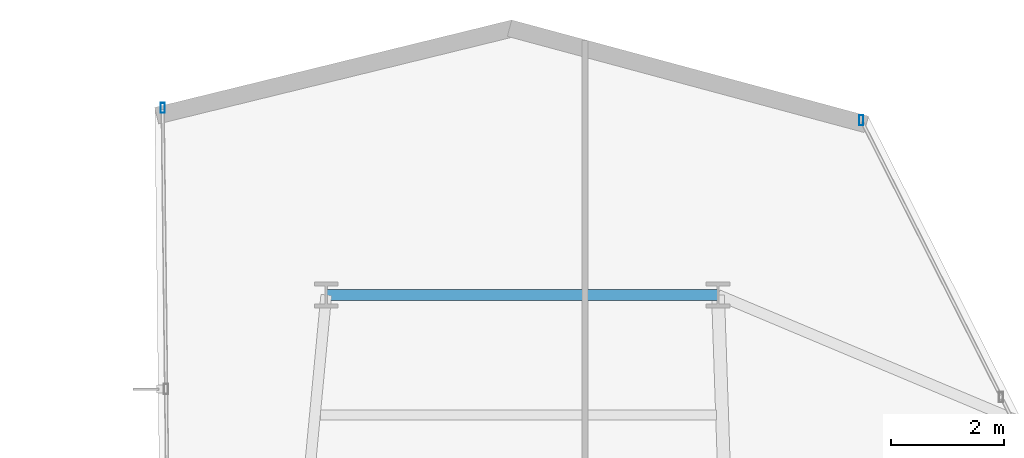
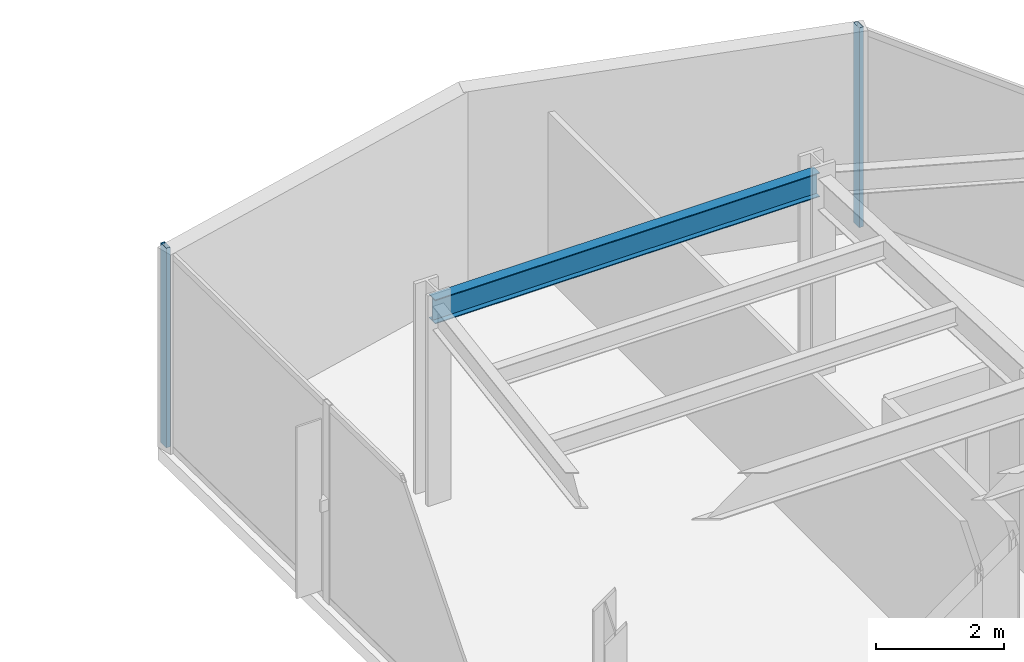
# One storey, part 19 of 25: 2 members, 1 beam, 2 elements without a shape of their own.
"""IFC4 building model written with IfcOpenShell, lengths in metres."""

import ifcopenshell
import ifcopenshell.guid

model = None  # the IFC model being written
_history = None  # IfcOwnerHistory: only IFC2X3 demands one
_inside = {}  # id of a spatial element -> (the spatial element, [elements in it])
_under = {}  # id of a project, library or spatial element -> (it, [spatial elements below it])
_declared = {}  # id of a project -> (the project, [libraries it declares])
_typed = {}  # id of a type object -> (the type object, [elements of that type])
_made_of = {}  # id of a material, layer set ... -> (it, [elements and type objects made of it])


def new_model(schema):
    """Start an empty IFC model of exactly this schema.

    Asked for "IFC4X3", IfcOpenShell would pick the latest addendum, in which some entities
    have other attributes; the version numbers below select the first issue.
    IFC2X3 requires an IfcOwnerHistory on every rooted entity: one is made here for all.
    """
    global model, _history
    if schema == "IFC4X3":
        model = ifcopenshell.file(schema_version=(4, 3, 0, 0))
    else:
        model = ifcopenshell.file(schema=schema)
    _inside.clear()
    _under.clear()
    _declared.clear()
    _typed.clear()
    _made_of.clear()
    _history = None
    if model.schema == "IFC2X3":
        org = make("IfcOrganization", Name="unknown")
        user = make(
            "IfcPersonAndOrganization",
            ThePerson=make("IfcPerson", FamilyName="unknown"),
            TheOrganization=org,
        )
        app = make(
            "IfcApplication",
            ApplicationDeveloper=org,
            Version="unknown",
            ApplicationFullName="unknown",
            ApplicationIdentifier="unknown",
        )
        _history = make(
            "IfcOwnerHistory",
            OwningUser=user,
            OwningApplication=app,
            ChangeAction="ADDED",
            CreationDate=0,
        )
    return model


def make(cls, **values):
    """One entity of the class cls with the attributes given. An attribute that is None is left unset."""
    return model.create_entity(
        cls, **{name: value for name, value in values.items() if value is not None}
    )


def rooted(cls, **values):
    """An entity with a GlobalId (a new one), such as an element, a storey or a relation."""
    return make(cls, GlobalId=ifcopenshell.guid.new(), OwnerHistory=_history, **values)


def si_unit(unit_type, name, prefix=None):
    """IfcSIUnit, for example si_unit("LENGTHUNIT", "METRE", prefix="MILLI")."""
    return make("IfcSIUnit", UnitType=unit_type, Prefix=prefix, Name=name)


def assignment(units):
    """IfcUnitAssignment: the units of a project."""
    return None if units is None else make("IfcUnitAssignment", Units=units)


def point(xyz):
    """IfcCartesianPoint."""
    return None if xyz is None else make("IfcCartesianPoint", Coordinates=xyz)


def direction(xyz):
    """IfcDirection."""
    return None if xyz is None else make("IfcDirection", DirectionRatios=xyz)


def frame(location, z_axis=None, x_axis=None):
    """IfcAxis2Placement3D, a coordinate frame: its origin and axes. An axis left out is left unset."""
    return make(
        "IfcAxis2Placement3D",
        Location=point(location),
        Axis=direction(z_axis),
        RefDirection=direction(x_axis),
    )


def frame_2d(location, x_axis=None):
    """IfcAxis2Placement2D, a coordinate frame in the plane: its origin and x axis."""
    return make(
        "IfcAxis2Placement2D", Location=point(location), RefDirection=direction(x_axis)
    )


def origin():
    """The frame at (0, 0, 0) with its axes left unset."""
    return frame((0.0, 0.0, 0.0))


def origin_2d():
    """The frame at (0, 0) in the plane with its x axis left unset."""
    return frame_2d((0.0, 0.0))


def place(relative_to, where):
    """IfcLocalPlacement: puts the frame where relative to a parent placement (None: the world)."""
    return make(
        "IfcLocalPlacement", PlacementRelTo=relative_to, RelativePlacement=where
    )


def context(
    kind, dimensions, precision=None, world=None, true_north=None, identifier=None
):
    """IfcGeometricRepresentationContext, for example the 3D "Model" context."""
    return make(
        "IfcGeometricRepresentationContext",
        ContextIdentifier=identifier,
        ContextType=kind,
        CoordinateSpaceDimension=dimensions,
        Precision=precision,
        WorldCoordinateSystem=world,
        TrueNorth=true_north,
    )


def subcontext(parent, identifier, kind, view, scale=None):
    """IfcGeometricRepresentationSubContext, for example "Body" below "Model"."""
    return make(
        "IfcGeometricRepresentationSubContext",
        ContextIdentifier=identifier,
        ContextType=kind,
        ParentContext=parent,
        TargetScale=scale,
        TargetView=view,
    )


def project(units=None, contexts=None):
    """IfcProject with its units and contexts."""
    return rooted(
        "IfcProject",
        Name="project",
        RepresentationContexts=contexts,
        UnitsInContext=assignment(units),
    )


def spatial(cls, under=None, at=None, **own):
    """A site, building, storey or space (cls), placed at a placement, below another one or the project."""
    s = rooted(cls, ObjectPlacement=at, **own)
    if under is not None:
        _under.setdefault(under.id(), (under, []))[1].append(s)
    return s


def profile(cls, at=None, kind="AREA", **sizes):
    """A parametric profile (cls). Its sizes go by their IFC names, for example OverallWidth=200.0."""
    return make(cls, ProfileType=kind, Position=at, **sizes)


def hollow_rectangle(**sizes):
    """IfcRectangleHollowProfileDef."""
    return profile("IfcRectangleHollowProfileDef", **sizes)


def i_section(**sizes):
    """IfcIShapeProfileDef."""
    return profile("IfcIShapeProfileDef", **sizes)


def extrude(swept, where, along, depth):
    """IfcExtrudedAreaSolid: the profile swept, set in the frame where, extruded along a direction by depth."""
    return make(
        "IfcExtrudedAreaSolid",
        SweptArea=swept,
        Position=where,
        ExtrudedDirection=direction(along),
        Depth=depth,
    )


def shape(context_of_items, identifier, shape_type, items):
    """IfcShapeRepresentation: the items that make up one representation, for example the "Body"."""
    return make(
        "IfcShapeRepresentation",
        ContextOfItems=context_of_items,
        RepresentationIdentifier=identifier,
        RepresentationType=shape_type,
        Items=items,
    )


def material(Name=None, Category=None):
    """IfcMaterial."""
    return make("IfcMaterial", Name=Name, Category=Category)


def layer(
    of_material, thickness, ventilated=None, Name=None, Category=None, Priority=None
):
    """IfcMaterialLayer: one layer of a wall or slab, of a material (None: an air gap)."""
    return make(
        "IfcMaterialLayer",
        Material=of_material,
        LayerThickness=thickness,
        IsVentilated=ventilated,
        Name=Name,
        Category=Category,
        Priority=Priority,
    )


def layer_set(layers, Name=None):
    """IfcMaterialLayerSet."""
    return make("IfcMaterialLayerSet", MaterialLayers=layers, LayerSetName=Name)


def material_profile(
    of_material, cross_section, Name=None, Category=None, Priority=None
):
    """IfcMaterialProfile: a cross section and its material."""
    return make(
        "IfcMaterialProfile",
        Name=Name,
        Material=of_material,
        Profile=cross_section,
        Priority=Priority,
        Category=Category,
    )


def profile_set(profiles, Name=None, composite=None):
    """IfcMaterialProfileSet."""
    return make(
        "IfcMaterialProfileSet",
        Name=Name,
        MaterialProfiles=profiles,
        CompositeProfile=composite,
    )


def made_of(thing, what):
    """Note that an element or type object is made of a material, layer set ...; save() writes the relation."""
    if what is not None:
        _made_of.setdefault(what.id(), (what, []))[1].append(thing)
    return thing


def type_object(cls, material=None, **own):
    """A type object (cls), such as IfcWallType, which elements share."""
    return made_of(rooted(cls, **own), material)


def element(
    cls,
    number,
    at=None,
    inside=None,
    cuts=None,
    type_object=None,
    material=None,
    context=None,
    identifier="Body",
    shape_type=None,
    held_by="IfcProductDefinitionShape",
    body=None,
    shapes=None,
    **own,
):
    """One element of the class cls, such as IfcWall. Its Tag is "e" and its number.

    at: its placement. inside: the storey or other place that contains it. cuts: it is an
    opening in that element (IfcRelVoidsElement). A single representation is given by context,
    identifier, shape_type and body (its items); several are given by shapes. held_by: the class
    of the entity that holds the representations. save() writes the other relations.
    """
    e = rooted(cls, Tag="e%d" % number, ObjectPlacement=at, **own)
    if body is not None:
        shapes = [shape(context, identifier, shape_type, body)]
    if shapes is not None:
        e.Representation = make(held_by, Representations=shapes)
    if inside is not None:
        _inside.setdefault(inside.id(), (inside, []))[1].append(e)
    if cuts is not None:
        rooted(
            "IfcRelVoidsElement", RelatingBuildingElement=cuts, RelatedOpeningElement=e
        )
    if type_object is not None:
        _typed.setdefault(type_object.id(), (type_object, []))[1].append(e)
    return made_of(e, material)


def aggregate(whole, parts):
    """IfcRelAggregates: a whole, such as a stair, and the parts it consists of."""
    return rooted("IfcRelAggregates", RelatingObject=whole, RelatedObjects=parts)


def save(model, path):
    """Write the relations noted so far, then the file.

    IfcRelAggregates (storeys below a building ...), IfcRelContainedInSpatialStructure (elements
    in a storey), IfcRelDefinesByType, IfcRelAssociatesMaterial and IfcRelDeclares: one each for
    every whole, place, type object, material and project.
    """
    for whole, parts in _under.values():
        aggregate(whole, parts)
    for where, things in _inside.values():
        rooted(
            "IfcRelContainedInSpatialStructure",
            RelatedElements=things,
            RelatingStructure=where,
        )
    for kind, things in _typed.values():
        rooted("IfcRelDefinesByType", RelatedObjects=things, RelatingType=kind)
    for what, things in _made_of.values():
        rooted("IfcRelAssociatesMaterial", RelatedObjects=things, RelatingMaterial=what)
    for by, libraries in _declared.values():
        rooted("IfcRelDeclares", RelatingContext=by, RelatedDefinitions=libraries)
    model.write(path)


model = new_model("IFC4")

# Units and contexts
model_context = context("Model", 3, precision=1e-05, world=origin(), true_north=direction((0.0, 1.0)))
body_context = subcontext(model_context, "Body", "Model", "MODEL_VIEW")
ifc_project = project(units=[si_unit("LENGTHUNIT", "METRE"), si_unit("AREAUNIT", "SQUARE_METRE"), si_unit("VOLUMEUNIT", "CUBIC_METRE"), si_unit("PLANEANGLEUNIT", "RADIAN"), si_unit("MASSUNIT", "GRAM", prefix="KILO")], contexts=[model_context])

# Site, building, storey
site_placement = place(None, origin())
site = spatial("IfcSite", under=ifc_project, at=site_placement, CompositionType="ELEMENT")
building_placement = place(site_placement, origin())
building = spatial("IfcBuilding", under=site, at=building_placement, Name="Veymaron Broadcast Tower", CompositionType="ELEMENT")
storey_placement = place(building_placement, frame((0.0, 0.0, 129.0)))
storey = spatial("IfcBuildingStorey", under=building, at=storey_placement, Name="L29", CompositionType="ELEMENT", Elevation=129.0)

# Beam
ifc_material_1 = material(Name="Structural steel ASTM A992 Gr 50", Category="steel")
ifc_material_profile_1 = material_profile(ifc_material_1, i_section(OverallWidth=0.19091796875, OverallDepth=0.4599609375, WebThickness=0.010009765625, FlangeThickness=0.01611328125, at=origin_2d()), Name="W460X82")
ifc_profile_set_1 = profile_set([ifc_material_profile_1], Name="Structural steel ASTM A992 Gr 50")
beam_type = type_object("IfcBeamType", Name="BM-SP1", PredefinedType="SPANDREL", material=ifc_profile_set_1)
beam_placement = place(storey_placement, frame((31.830078125, 38.64990234375, 3.580078125), z_axis=(1.0, 0.0, 0.0), x_axis=(0.0, 1.0, 0.0)))
element("IfcBeam", 1, at=beam_placement, inside=storey, type_object=beam_type, Name="L29 primary structural floor girder", PredefinedType="SPANDREL", context=body_context, shape_type="SweptSolid", body=[
    extrude(i_section(OverallWidth=0.19091796875, OverallDepth=0.4599609375, WebThickness=0.010009765625, FlangeThickness=0.01611328125, at=origin_2d()), origin(), (0.0, 0.0, 1.0), 6.94482421875),
])

# Curtain wall, member
ifc_material_2 = material(Name="Anodised aluminium AA 6063-T6 and laminated low-E dark glass", Category="aluminium")
ifc_layer = layer(ifc_material_2, 0.179931640625)
ifc_layer_set = layer_set([ifc_layer], Name="Anodised aluminium AA 6063-T6 and laminated low-E dark glass")
curtain_wall_type = type_object("IfcCurtainWallType", Name="CW-SYS-03", PredefinedType="NOTDEFINED", material=ifc_layer_set)
curtain_wall_1_placement = place(storey_placement, origin())
curtain_wall_1 = element("IfcCurtainWall", 2, at=curtain_wall_1_placement, inside=storey, type_object=curtain_wall_type, Name="L29 dark-glass curtain wall CW-L29-E5-1", PredefinedType="NOTDEFINED")
ifc_material_3 = material(Name="Anodised aluminium AA 6063-T6", Category="aluminium")
ifc_material_profile_2 = material_profile(ifc_material_3, hollow_rectangle(XDim=0.074951171875, YDim=0.179931640625, WallThickness=0.0048828125, at=origin_2d()), Name="AL180X75X5")
ifc_profile_set_2 = profile_set([ifc_material_profile_2], Name="Anodised aluminium AA 6063-T6")
member_type = type_object("IfcMemberType", Name="CW-MUL-02", PredefinedType="MULLION", material=ifc_profile_set_2)
member_1_placement = place(storey_placement, frame((41.31494140625, 41.746826171875, 0.0), z_axis=(0.0, 0.0, 1.0), x_axis=(1.0, 0.0, 0.0)))
member_1 = element("IfcMember", 3, at=member_1_placement, type_object=member_type, Name="CW-L29-E5-1 mullion 2", PredefinedType="MULLION", context=body_context, shape_type="SweptSolid", body=[
    extrude(hollow_rectangle(XDim=0.074951171875, YDim=0.179931640625, WallThickness=0.0048828125, at=origin_2d()), origin(), (0.0, 0.0, 1.0), 3.81005859375),
])
aggregate(curtain_wall_1, [member_1])

curtain_wall_2_placement = place(storey_placement, origin())
curtain_wall_2 = element("IfcCurtainWall", 4, at=curtain_wall_2_placement, inside=storey, type_object=curtain_wall_type, Name="L29 dark-glass curtain wall CW-L29-E8-1", PredefinedType="NOTDEFINED")
member_2_placement = place(storey_placement, frame((28.929931640625, 41.966796875, 0.0), z_axis=(0.0, 0.0, 1.0), x_axis=(1.0, 0.0, 0.0)))
member_2 = element("IfcMember", 5, at=member_2_placement, type_object=member_type, Name="CW-L29-E8-1 mullion 0", PredefinedType="MULLION", context=body_context, shape_type="SweptSolid", body=[
    extrude(hollow_rectangle(XDim=0.074951171875, YDim=0.179931640625, WallThickness=0.0048828125, at=origin_2d()), origin(), (0.0, 0.0, 1.0), 3.81005859375),
])
aggregate(curtain_wall_2, [member_2])

save(model, "model.ifc")
